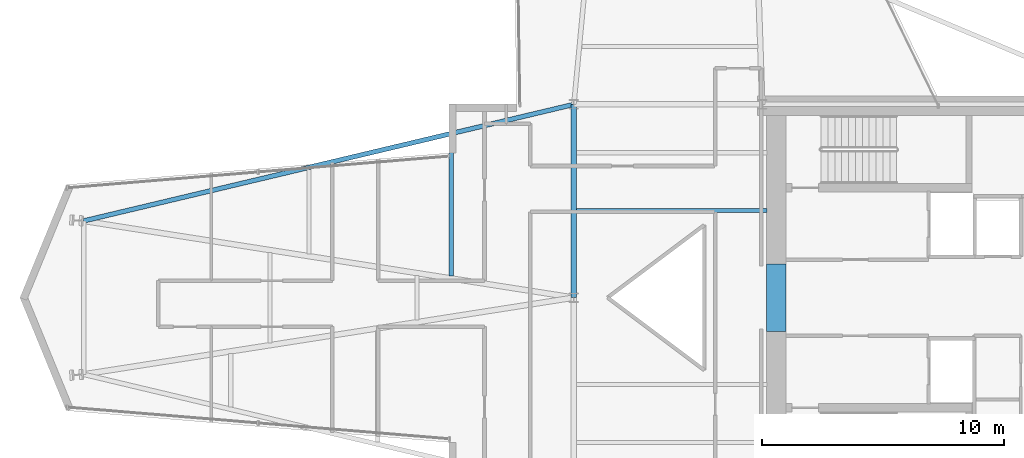
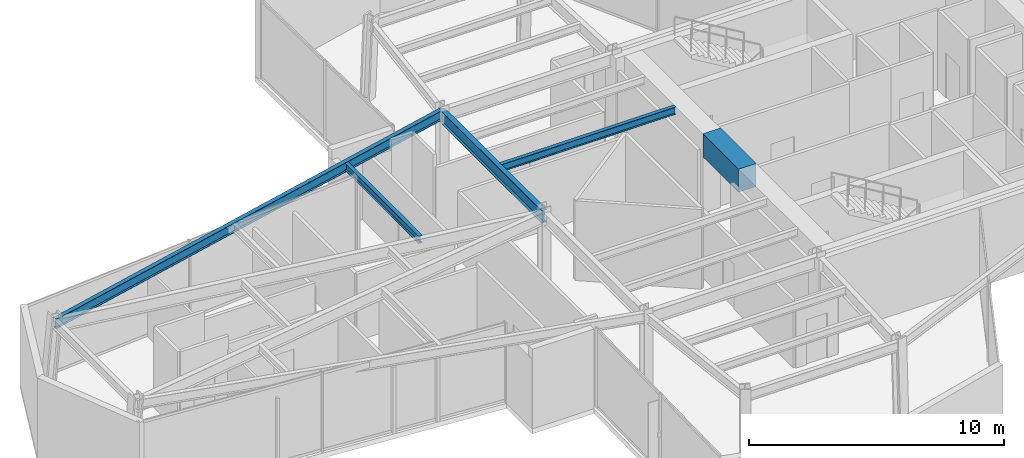
# One storey, part 9 of 24: 5 beams.
"""IFC4 building model written with IfcOpenShell, lengths in metres."""

from ifc_helpers import new_model, si_unit, direction, frame, origin, origin_2d, place, context, subcontext, project, spatial, rectangle, i_section, extrude, material, material_profile, profile_set, type_object, element, save


model = new_model("IFC4")

# Units and contexts
model_context = context("Model", 3, precision=1e-05, world=origin(), true_north=direction((0.0, 1.0)))
body_context = subcontext(model_context, "Body", "Model", "MODEL_VIEW")
ifc_project = project(units=[si_unit("LENGTHUNIT", "METRE"), si_unit("AREAUNIT", "SQUARE_METRE"), si_unit("VOLUMEUNIT", "CUBIC_METRE"), si_unit("PLANEANGLEUNIT", "RADIAN"), si_unit("MASSUNIT", "GRAM", prefix="KILO")], contexts=[model_context])

# Site, building, storey
site_placement = place(None, origin())
site = spatial("IfcSite", under=ifc_project, at=site_placement, CompositionType="ELEMENT")
building_placement = place(site_placement, origin())
building = spatial("IfcBuilding", under=site, at=building_placement, Name="Veymaron Broadcast Tower", CompositionType="ELEMENT")
storey_placement = place(building_placement, frame((0.0, 0.0, 124.949951171875)))
storey = spatial("IfcBuildingStorey", under=building, at=storey_placement, Name="L28", CompositionType="ELEMENT", Elevation=124.949951171875)

# Beams
ifc_material_1 = material(Name="Concrete C70/85", Category="concrete")
ifc_material_profile_1 = material_profile(ifc_material_1, rectangle(XDim=0.800048828125, YDim=1.10009765625, at=origin_2d()), Name="RC800X1100")
ifc_profile_set_1 = profile_set([ifc_material_profile_1], Name="Concrete C70/85")
beam_type_1 = type_object("IfcBeamType", Name="BM-CB1", PredefinedType="LINTEL", material=ifc_profile_set_1)
beam_1_placement = place(storey_placement, frame((39.580078125, 22.60009765625, 3.260009765625), z_axis=(0.0, 1.0, 0.0), x_axis=(-1.0, 0.0, 0.0)))
element("IfcBeam", 1, at=beam_1_placement, inside=storey, type_object=beam_type_1, Name="L28 Core Wall west coupling beam", PredefinedType="LINTEL", context=body_context, shape_type="SweptSolid", body=[
    extrude(rectangle(XDim=0.800048828125, YDim=1.10009765625, at=origin_2d()), origin(), (0.0, 0.0, 1.0), 2.7998046875),
])
ifc_material_2 = material(Name="Structural steel ASTM A992 Gr 50", Category="steel")
ifc_material_profile_2 = material_profile(ifc_material_2, i_section(OverallWidth=0.22802734375, OverallDepth=0.60791015625, WebThickness=0.01123046875, FlangeThickness=0.017333984375, at=origin_2d()), Name="W610X113")
ifc_profile_set_2 = profile_set([ifc_material_profile_2], Name="Structural steel ASTM A992 Gr 50")
beam_type_2 = type_object("IfcBeamType", Name="BM-FG2", PredefinedType="BEAM", material=ifc_profile_set_2)
beam_2_placement = place(storey_placement, frame((31.199951171875, 24.0, 3.506103515625), z_axis=(0.0, 1.0, 0.0), x_axis=(-1.0, 0.0, 0.0)))
element("IfcBeam", 2, at=beam_2_placement, inside=storey, type_object=beam_type_2, Name="L28 primary structural floor girder", PredefinedType="BEAM", context=body_context, shape_type="SweptSolid", body=[
    extrude(i_section(OverallWidth=0.22802734375, OverallDepth=0.60791015625, WebThickness=0.01123046875, FlangeThickness=0.017333984375, at=origin_2d()), origin(), (0.0, 0.0, 1.0), 8.0),
])
ifc_material_profile_3 = material_profile(ifc_material_2, i_section(OverallWidth=0.1708984375, OverallDepth=0.35498046875, WebThickness=0.007080078125, FlangeThickness=0.01171875, at=origin_2d()), Name="W360X51")
ifc_profile_set_3 = profile_set([ifc_material_profile_3], Name="Structural steel ASTM A992 Gr 50")
beam_type_3 = type_object("IfcBeamType", Name="BM-JS2", PredefinedType="JOIST", material=ifc_profile_set_3)
beam_3_placement = place(storey_placement, frame((26.126220703125, 24.893798828125, 3.632568359375), z_axis=(0.0, 1.0, 0.0), x_axis=(-1.0, 0.0, 0.0)))
element("IfcBeam", 3, at=beam_3_placement, inside=storey, type_object=beam_type_3, Name="L28 Arm-A secondary joist 2N", PredefinedType="JOIST", context=body_context, shape_type="SweptSolid", body=[
    extrude(i_section(OverallWidth=0.1708984375, OverallDepth=0.35498046875, WebThickness=0.007080078125, FlangeThickness=0.01171875, at=origin_2d()), origin(), (0.0, 0.0, 1.0), 5.7998046875),
])
beam_4_placement = place(storey_placement, frame((31.300048828125, 27.60009765625, 3.632568359375), z_axis=(1.0, 0.0, 0.0), x_axis=(0.0, 1.0, 0.0)))
element("IfcBeam", 4, at=beam_4_placement, inside=storey, type_object=beam_type_3, Name="L28 Hub secondary joist 3", PredefinedType="JOIST", context=body_context, shape_type="SweptSolid", body=[
    extrude(i_section(OverallWidth=0.1708984375, OverallDepth=0.35498046875, WebThickness=0.007080078125, FlangeThickness=0.01171875, at=origin_2d()), origin(), (0.0, 0.0, 1.0), 7.89990234375),
])
ifc_material_profile_4 = material_profile(ifc_material_2, i_section(OverallWidth=0.19091796875, OverallDepth=0.4599609375, WebThickness=0.010009765625, FlangeThickness=0.01611328125, at=origin_2d()), Name="W460X82")
ifc_profile_set_4 = profile_set([ifc_material_profile_4], Name="Structural steel ASTM A992 Gr 50")
beam_type_4 = type_object("IfcBeamType", Name="BM-SP1", PredefinedType="SPANDREL", material=ifc_profile_set_4)
beam_5_placement = place(storey_placement, frame((10.905029296875, 27.175048828125, 3.580078125), z_axis=(0.972883639047, 0.231295103437, 0.0), x_axis=(-0.231295103437, 0.972883639047, 0.0)))
element("IfcBeam", 5, at=beam_5_placement, inside=storey, type_object=beam_type_4, Name="L28 primary structural floor girder", PredefinedType="SPANDREL", context=body_context, shape_type="SweptSolid", body=[
    extrude(i_section(OverallWidth=0.19091796875, OverallDepth=0.4599609375, WebThickness=0.010009765625, FlangeThickness=0.01611328125, at=origin_2d()), origin(), (0.0, 0.0, 1.0), 20.860595703125),
])

save(model, "model.ifc")
